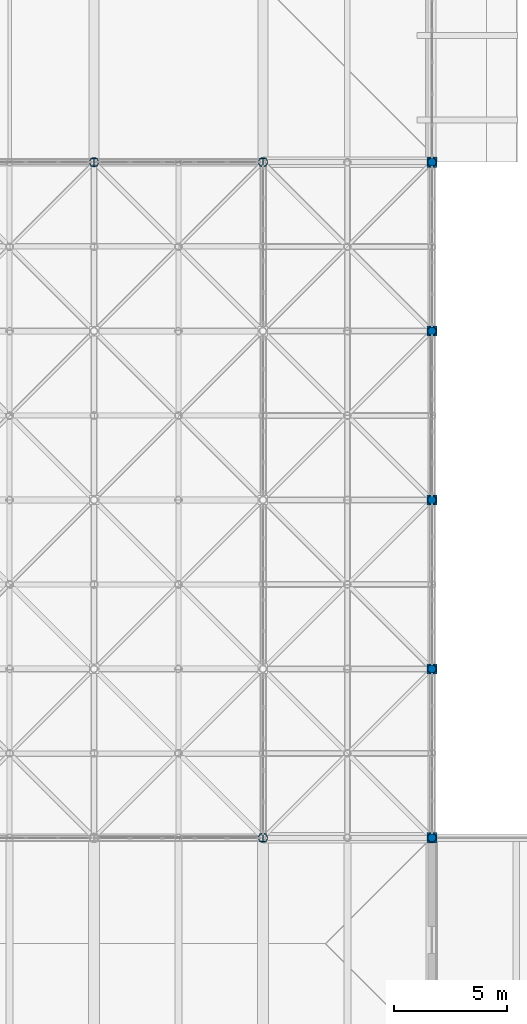
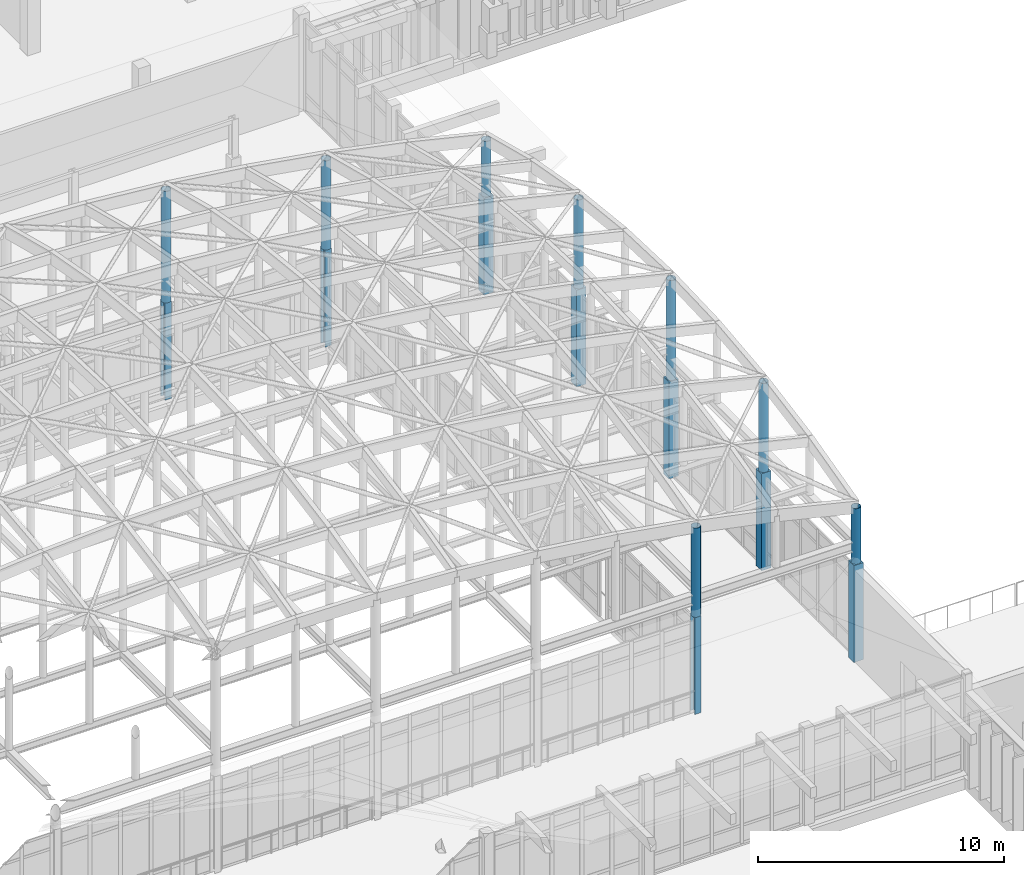
# One storey, part 6 of 131: 16 columns.
"""IFC4 building model written with IfcOpenShell, lengths in metres."""

from ifc_helpers import new_model, si_unit, direction, frame, origin, origin_2d, place, context, subcontext, project, spatial, rectangle, hollow_circle, i_section, extrude, material, material_profile, profile_set, type_object, element, save


model = new_model("IFC4")

# Units and contexts
model_context = context("Model", 3, precision=1e-05, world=origin(), true_north=direction((0.0, 1.0)))
body_context = subcontext(model_context, "Body", "Model", "MODEL_VIEW")
ifc_project = project(units=[si_unit("LENGTHUNIT", "METRE"), si_unit("AREAUNIT", "SQUARE_METRE"), si_unit("VOLUMEUNIT", "CUBIC_METRE"), si_unit("PLANEANGLEUNIT", "RADIAN"), si_unit("MASSUNIT", "GRAM", prefix="KILO")], contexts=[model_context])

# Site, building, storey
site_placement = place(None, origin())
site = spatial("IfcSite", under=ifc_project, at=site_placement, CompositionType="ELEMENT")
building_placement = place(site_placement, origin())
building = spatial("IfcBuilding", under=site, at=building_placement, Name="Dalvernix Boulevard General Hospital", CompositionType="ELEMENT")
storey_placement = place(building_placement, frame((0.0, 0.0, 9.300048828125)))
storey = spatial("IfcBuildingStorey", under=building, at=storey_placement, Name="L02", CompositionType="ELEMENT", Elevation=9.300048828125)

# Columns
ifc_material_1 = material(Name="Concrete C40/50", Category="concrete")
ifc_material_profile_1 = material_profile(ifc_material_1, rectangle(XDim=0.449951171875, YDim=0.449951171875, at=origin_2d()), Name="RC 450x450")
ifc_profile_set_1 = profile_set([ifc_material_profile_1], Name="Concrete C40/50")
column_type_1 = type_object("IfcColumnType", Name="COL-C-10-E", PredefinedType="COLUMN", material=ifc_profile_set_1)
for number, where, z_axis, x_axis, name in (
    (1, (112.5, 31.5, 0.0), (0.0, 0.0, 1.0), (1.0, 0.0, 0.0), "L02 column 16E"),
    (2, (112.5, 39.0, 0.0), (0.0, 0.0, 1.0), (1.0, 0.0, 0.0), "L02 column 16F"),
    (3, (112.5, 46.5, 0.0), (0.0, 0.0, 1.0), (1.0, 0.0, 0.0), "L02 column 16G"),
    (4, (112.5, 54.0, 0.0), (0.0, 0.0, 1.0), (1.0, 0.0, 0.0), "L02 column 16H"),
    (5, (112.5, 61.5, 0.0), (0.0, 0.0, 1.0), (1.0, 0.0, 0.0), "L02 column 16J"),
):
    element("IfcColumn", number, at=place(storey_placement, frame(where, z_axis=z_axis, x_axis=x_axis)), inside=storey, type_object=column_type_1, Name=name, PredefinedType="COLUMN", context=body_context, shape_type="SweptSolid", body=[
        extrude(rectangle(XDim=0.449951171875, YDim=0.449951171875, at=origin_2d()), origin(), (0.0, 0.0, 1.0), 4.800048828125),
    ])
ifc_material_2 = material(Name="Steel S355", Category="steel")
ifc_material_profile_2 = material_profile(ifc_material_2, i_section(OverallWidth=0.300048828125, OverallDepth=0.360107421875, WebThickness=0.012451171875, FlangeThickness=0.0224609375, FilletRadius=0.027099609375, at=origin_2d()), Name="HEB 360")
ifc_profile_set_2 = profile_set([ifc_material_profile_2], Name="Steel S355")
column_type_2 = type_object("IfcColumnType", Name="COL-C-17-E", PredefinedType="COLUMN", material=ifc_profile_set_2)
for number, where, z_axis, x_axis, name in (
    (6, (97.5, 61.5, 0.0), (0.0, 0.0, 1.0), (1.0, 0.0, 0.0), "L02 column 14J"),
    (7, (105.0, 31.5, 0.0), (0.0, 0.0, 1.0), (1.0, 0.0, 0.0), "L02 column 15E"),
    (8, (105.0, 61.5, 0.0), (0.0, 0.0, 1.0), (1.0, 0.0, 0.0), "L02 column 15J"),
):
    element("IfcColumn", number, at=place(storey_placement, frame(where, z_axis=z_axis, x_axis=x_axis)), inside=storey, type_object=column_type_2, Name=name, PredefinedType="COLUMN", context=body_context, shape_type="SweptSolid", body=[
        extrude(i_section(OverallWidth=0.300048828125, OverallDepth=0.360107421875, WebThickness=0.012451171875, FlangeThickness=0.0224609375, FilletRadius=0.027099609375, at=origin_2d()), origin(), (0.0, 0.0, 1.0), 4.800048828125),
    ])
ifc_material_profile_3 = material_profile(ifc_material_2, hollow_circle(Radius=0.203125, WallThickness=0.01611328125, at=origin_2d()), Name="CHS 406.4x16.0")
ifc_profile_set_3 = profile_set([ifc_material_profile_3], Name="Steel S355")
column_type_3 = type_object("IfcColumnType", Name="COL-C-19", PredefinedType="COLUMN", material=ifc_profile_set_3)
column_1_placement = place(storey_placement, frame((97.5, 61.5, 4.800048828125), z_axis=(0.0, 0.0, 1.0), x_axis=(1.0, 0.0, 0.0)))
element("IfcColumn", 9, at=column_1_placement, inside=storey, type_object=column_type_3, Name="Gridshell grid column post 10-8", PredefinedType="COLUMN", context=body_context, shape_type="SweptSolid", body=[
    extrude(hollow_circle(Radius=0.203125, WallThickness=0.01611328125, at=origin_2d()), origin(), (0.0, 0.0, 1.0), 5.525390625),
])
for number, where, z_axis, x_axis, name in (
    (10, (105.0, 31.5, 4.800048828125), (0.0, 0.0, 1.0), (1.0, 0.0, 0.0), "Gridshell grid column post 12-0"),
    (11, (105.0, 61.5, 4.800048828125), (0.0, 0.0, 1.0), (1.0, 0.0, 0.0), "Gridshell grid column post 12-8"),
):
    element("IfcColumn", number, at=place(storey_placement, frame(where, z_axis=z_axis, x_axis=x_axis)), inside=storey, type_object=column_type_3, Name=name, PredefinedType="COLUMN", context=body_context, shape_type="SweptSolid", body=[
        extrude(hollow_circle(Radius=0.203125, WallThickness=0.01611328125, at=origin_2d()), origin(), (0.0, 0.0, 1.0), 4.415283203125),
    ])
column_2_placement = place(storey_placement, frame((112.5, 31.5, 4.800048828125), z_axis=(0.0, 0.0, 1.0), x_axis=(1.0, 0.0, 0.0)))
element("IfcColumn", 12, at=column_2_placement, inside=storey, type_object=column_type_3, Name="Gridshell grid column post 14-0", PredefinedType="COLUMN", context=body_context, shape_type="SweptSolid", body=[
    extrude(hollow_circle(Radius=0.203125, WallThickness=0.01611328125, at=origin_2d()), origin(), (0.0, 0.0, 1.0), 2.75),
])
column_3_placement = place(storey_placement, frame((112.5, 39.0, 4.800048828125), z_axis=(0.0, 0.0, 1.0), x_axis=(1.0, 0.0, 0.0)))
element("IfcColumn", 13, at=column_3_placement, inside=storey, type_object=column_type_3, Name="Gridshell grid column post 14-2", PredefinedType="COLUMN", context=body_context, shape_type="SweptSolid", body=[
    extrude(hollow_circle(Radius=0.203125, WallThickness=0.01611328125, at=origin_2d()), origin(), (0.0, 0.0, 1.0), 4.39990234375),
])
column_4_placement = place(storey_placement, frame((112.5, 46.5, 4.800048828125), z_axis=(0.0, 0.0, 1.0), x_axis=(1.0, 0.0, 0.0)))
element("IfcColumn", 14, at=column_4_placement, inside=storey, type_object=column_type_3, Name="Gridshell grid column post 14-4", PredefinedType="COLUMN", context=body_context, shape_type="SweptSolid", body=[
    extrude(hollow_circle(Radius=0.203125, WallThickness=0.01611328125, at=origin_2d()), origin(), (0.0, 0.0, 1.0), 4.949951171875),
])
column_5_placement = place(storey_placement, frame((112.5, 54.0, 4.800048828125), z_axis=(0.0, 0.0, 1.0), x_axis=(1.0, 0.0, 0.0)))
element("IfcColumn", 15, at=column_5_placement, inside=storey, type_object=column_type_3, Name="Gridshell grid column post 14-6", PredefinedType="COLUMN", context=body_context, shape_type="SweptSolid", body=[
    extrude(hollow_circle(Radius=0.203125, WallThickness=0.01611328125, at=origin_2d()), origin(), (0.0, 0.0, 1.0), 4.39990234375),
])
column_6_placement = place(storey_placement, frame((112.5, 61.5, 4.800048828125), z_axis=(0.0, 0.0, 1.0), x_axis=(1.0, 0.0, 0.0)))
element("IfcColumn", 16, at=column_6_placement, inside=storey, type_object=column_type_3, Name="Gridshell grid column post 14-8", PredefinedType="COLUMN", context=body_context, shape_type="SweptSolid", body=[
    extrude(hollow_circle(Radius=0.203125, WallThickness=0.01611328125, at=origin_2d()), origin(), (0.0, 0.0, 1.0), 2.75),
])

save(model, "model.ifc")
